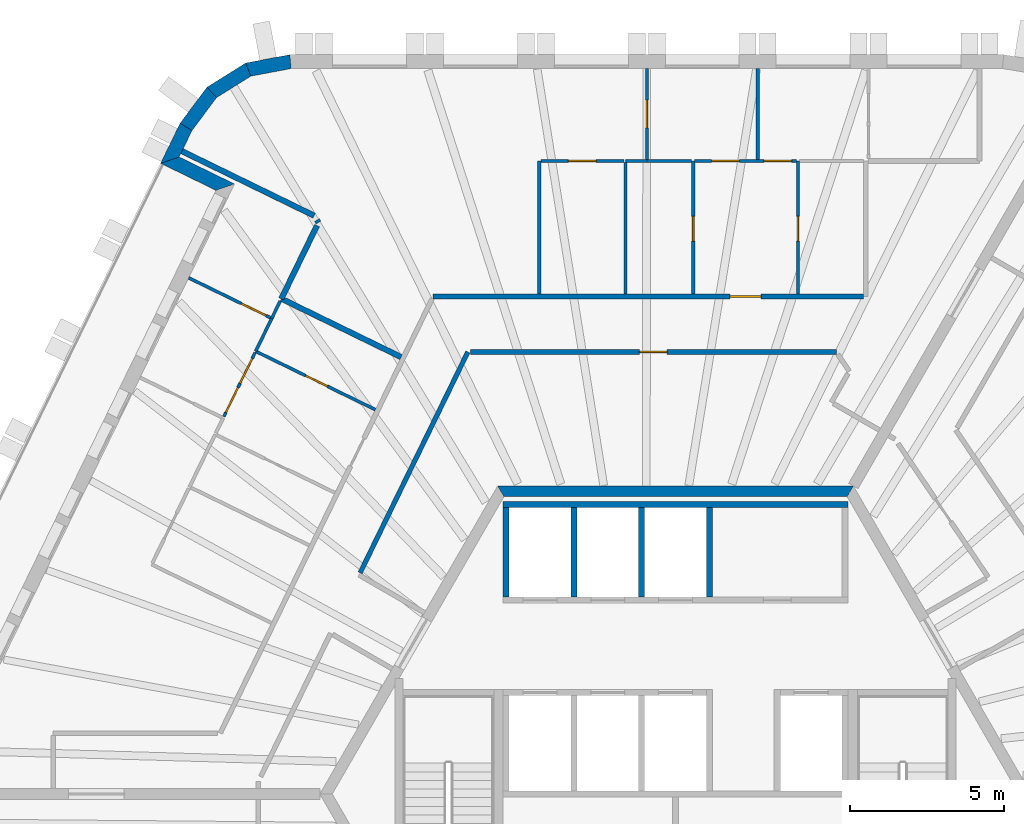
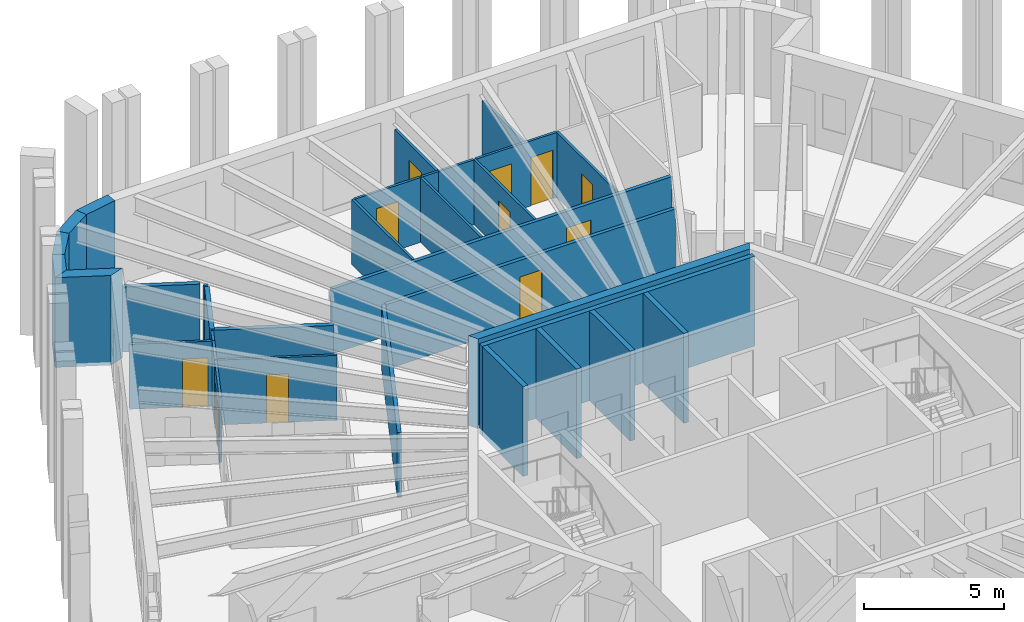
# One storey, part 8 of 12: 33 walls, 12 doors, 12 openings.
"""IFC4 building model written with IfcOpenShell, lengths in metres."""

from ifc_helpers import new_model, si_unit, direction, frame, frame_2d, origin, place, context, subcontext, project, spatial, polyline, rectangle, outline, extrude, material, layer, layer_set, type_object, element, fill, save


model = new_model("IFC4")

# Units and contexts
model_context = context("Model", 3, precision=1e-05, world=origin(), true_north=direction((0.0, 1.0)))
body_context = subcontext(model_context, "Body", "Model", "MODEL_VIEW")
ifc_project = project(units=[si_unit("LENGTHUNIT", "METRE"), si_unit("AREAUNIT", "SQUARE_METRE"), si_unit("VOLUMEUNIT", "CUBIC_METRE"), si_unit("PLANEANGLEUNIT", "RADIAN"), si_unit("MASSUNIT", "GRAM", prefix="KILO")], contexts=[model_context])

# Site, building, storey
site_placement = place(None, origin())
site = spatial("IfcSite", under=ifc_project, at=site_placement, CompositionType="ELEMENT")
building_placement = place(site_placement, origin())
building = spatial("IfcBuilding", under=site, at=building_placement, Name="Tarnside Tower", CompositionType="ELEMENT")
storey_placement = place(building_placement, frame((0.0, 0.0, 361.199951171875)))
storey = spatial("IfcBuildingStorey", under=building, at=storey_placement, Name="L87", CompositionType="ELEMENT", Elevation=361.199951171875)

# Wall
ifc_material_1 = material(Name="Gypsum board partition on steel studs", Category="steel")
ifc_layer_1 = layer(ifc_material_1, 0.10009765625)
ifc_layer_set_1 = layer_set([ifc_layer_1], Name="Bathroom wall 100")
wall_type_1 = type_object("IfcWallType", Name="Bathroom wall 100", PredefinedType="PARTITIONING", material=ifc_layer_set_1)
wall_1_placement = place(storey_placement, frame((-1.625244140625, 20.550048828125, 0.0), z_axis=(0.0, 0.0, 1.0), x_axis=(1.0, 0.0, 0.0)))
element("IfcWall", 1, at=wall_1_placement, inside=storey, type_object=wall_type_1, Name="Bathroom wall 28072", PredefinedType="PARTITIONING", context=body_context, shape_type="SweptSolid", body=[
    extrude(rectangle(XDim=0.695556640625, YDim=0.10009765625, at=frame_2d((0.34765625, 0.0))), origin(), (0.0, 0.0, 1.0), 2.820068359375),
])

# Wall, opening, door
wall_2_placement = place(storey_placement, frame((3.974609375, 16.22509765625, 0.0), z_axis=(0.0, 0.0, 1.0), x_axis=(0.0, 1.0, 0.0)))
wall_2 = element("IfcWall", 2, at=wall_2_placement, inside=storey, type_object=wall_type_1, Name="Bathroom wall 28079", PredefinedType="PARTITIONING", context=body_context, shape_type="SweptSolid", body=[
    extrude(rectangle(XDim=4.324951171875, YDim=0.10009765625, at=frame_2d((2.16259765625, 0.0))), origin(), (0.0, 0.0, 1.0), 2.820068359375),
])
opening_1_placement = place(wall_2_placement, frame((1.72509765625, 0.0, 0.0)))
opening_1 = element("IfcOpeningElement", 3, at=opening_1_placement, cuts=wall_2, Name="Opening D-B1", PredefinedType="OPENING", context=body_context, shape_type="SweptSolid", body=[
    extrude(rectangle(XDim=0.800048828125, YDim=2.10009765625, at=frame_2d((0.39990234375, 1.050048828125))), frame((0.0, 0.06005859375, 0.0), z_axis=(0.0, -1.0, 0.0), x_axis=(1.0, 0.0, 0.0)), (0.0, 0.0, 1.0), 0.1201171875),
])
ifc_material_2 = material(Name="Timber door leaf", Category="wood")
door_type_1 = type_object("IfcDoorType", Name="Bathroom door 800", OperationType="NOTDEFINED", PredefinedType="DOOR", material=ifc_material_2)
door_1_placement = place(opening_1_placement, origin())
door_1 = element("IfcDoor", 4, at=door_1_placement, inside=storey, type_object=door_type_1, Name="Bathroom door 28002", OperationType="SINGLE_SWING_RIGHT", OverallHeight=2.10009765625, OverallWidth=0.800048828125, PredefinedType="DOOR", context=body_context, shape_type="SweptSolid", body=[
    extrude(rectangle(XDim=0.800048828125, YDim=2.10009765625, at=frame_2d((0.39990234375, 1.050048828125))), frame((0.0, 0.02490234375, 0.0), z_axis=(0.0, -1.0, 0.0), x_axis=(1.0, 0.0, 0.0)), (0.0, 0.0, 1.0), 0.050048828125),
])
fill(opening_1, door_1)

wall_3_placement = place(storey_placement, frame((0.57470703125, 20.550048828125, 0.0), z_axis=(0.0, 0.0, 1.0), x_axis=(0.0, -1.0, 0.0)))
wall_3 = element("IfcWall", 5, at=wall_3_placement, inside=storey, type_object=wall_type_1, Name="Bathroom wall 28082", PredefinedType="PARTITIONING", context=body_context, shape_type="SweptSolid", body=[
    extrude(rectangle(XDim=4.324951171875, YDim=0.10009765625, at=frame_2d((2.16259765625, 0.0))), origin(), (0.0, 0.0, 1.0), 2.820068359375),
])
opening_2_placement = place(wall_3_placement, frame((1.800048828125, 0.0, 0.0)))
opening_2 = element("IfcOpeningElement", 6, at=opening_2_placement, cuts=wall_3, Name="Opening D-B1", PredefinedType="OPENING", context=body_context, shape_type="SweptSolid", body=[
    extrude(rectangle(XDim=0.800048828125, YDim=2.10009765625, at=frame_2d((0.39990234375, 1.050048828125))), frame((0.0, 0.06005859375, 0.0), z_axis=(0.0, -1.0, 0.0), x_axis=(1.0, 0.0, 0.0)), (0.0, 0.0, 1.0), 0.1201171875),
])
door_2_placement = place(opening_2_placement, origin())
door_2 = element("IfcDoor", 7, at=door_2_placement, inside=storey, type_object=door_type_1, Name="Bathroom door 28013", OperationType="SINGLE_SWING_LEFT", OverallHeight=2.10009765625, OverallWidth=0.800048828125, PredefinedType="DOOR", context=body_context, shape_type="SweptSolid", body=[
    extrude(rectangle(XDim=0.800048828125, YDim=2.10009765625, at=frame_2d((0.39990234375, 1.050048828125))), frame((0.0, 0.02490234375, 0.0), z_axis=(0.0, -1.0, 0.0), x_axis=(1.0, 0.0, 0.0)), (0.0, 0.0, 1.0), 0.050048828125),
])
fill(opening_2, door_2)

# Walls
wall_4_placement = place(storey_placement, frame((-0.93359375, 20.550048828125, 0.0), z_axis=(0.0, 0.0, 1.0), x_axis=(1.0, 0.0, 0.0)))
element("IfcWall", 8, at=wall_4_placement, inside=storey, type_object=wall_type_1, Name="Bathroom wall 28086", PredefinedType="PARTITIONING", context=body_context, shape_type="SweptSolid", body=[
    extrude(rectangle(XDim=1.458251953125, YDim=0.10009765625, at=frame_2d((0.72900390625, 0.0))), origin(), (0.0, 0.0, 1.0), 2.820068359375),
])
wall_5_placement = place(storey_placement, frame((-1.625244140625, 20.5, 0.0), z_axis=(0.0, 0.0, 1.0), x_axis=(0.0, -1.0, 0.0)))
element("IfcWall", 9, at=wall_5_placement, inside=storey, type_object=wall_type_1, Name="Bathroom wall 28087", PredefinedType="PARTITIONING", context=body_context, shape_type="SweptSolid", body=[
    extrude(rectangle(XDim=4.27490234375, YDim=0.10009765625, at=frame_2d((2.137451171875, 0.0))), origin(), (0.0, 0.0, 1.0), 2.820068359375),
])

# Wall, opening, door
wall_6_placement = place(storey_placement, frame((-9.7421875, 12.47509765625, 0.0), z_axis=(0.0, 0.0, 1.0), x_axis=(-0.898786890582, 0.438385817879, 0.0)))
wall_6 = element("IfcWall", 10, at=wall_6_placement, inside=storey, type_object=wall_type_1, Name="Bathroom wall 28093", PredefinedType="PARTITIONING", context=body_context, shape_type="SweptSolid", body=[
    extrude(rectangle(XDim=4.324951171875, YDim=0.10009765625, at=frame_2d((2.16259765625, 0.0))), origin(), (0.0, 0.0, 1.0), 2.820068359375),
])
opening_3_placement = place(wall_6_placement, frame((1.72509765625, 0.0, 0.0)))
opening_3 = element("IfcOpeningElement", 11, at=opening_3_placement, cuts=wall_6, Name="Opening D-B1", PredefinedType="OPENING", context=body_context, shape_type="SweptSolid", body=[
    extrude(rectangle(XDim=0.800048828125, YDim=2.10009765625, at=frame_2d((0.39990234375, 1.050048828125))), frame((0.0, 0.06005859375, 0.0), z_axis=(0.0, -1.0, 0.0), x_axis=(1.0, 0.0, 0.0)), (0.0, 0.0, 1.0), 0.1201171875),
])
door_3_placement = place(opening_3_placement, origin())
door_3 = element("IfcDoor", 12, at=door_3_placement, inside=storey, type_object=door_type_1, Name="Bathroom door 28016", OperationType="SINGLE_SWING_RIGHT", OverallHeight=2.10009765625, OverallWidth=0.800048828125, PredefinedType="DOOR", context=body_context, shape_type="SweptSolid", body=[
    extrude(rectangle(XDim=0.800048828125, YDim=2.10009765625, at=frame_2d((0.39990234375, 1.050048828125))), frame((0.0, 0.02490234375, 0.0), z_axis=(0.0, -1.0, 0.0), x_axis=(1.0, 0.0, 0.0)), (0.0, 0.0, 1.0), 0.050048828125),
])
fill(opening_3, door_3)

# Walls
wall_7_placement = place(storey_placement, frame((-12.835205078125, 15.999755859375, 0.0), z_axis=(0.0, 0.0, 1.0), x_axis=(-0.43824583471, -0.898855154271, 0.0)))
element("IfcWall", 13, at=wall_7_placement, inside=storey, type_object=wall_type_1, Name="Bathroom wall 28096", PredefinedType="PARTITIONING", context=body_context, shape_type="SweptSolid", body=[
    extrude(rectangle(XDim=0.622314453125, YDim=0.10009765625, at=frame_2d((0.31103515625, 0.0))), origin(), (0.0, 0.0, 1.0), 2.820068359375),
])
wall_8_placement = place(storey_placement, frame((-13.10791015625, 15.4404296875, 0.0), z_axis=(0.0, 0.0, 1.0), x_axis=(-0.438423632021, -0.898768445644, 0.0)))
element("IfcWall", 14, at=wall_8_placement, inside=storey, type_object=wall_type_1, Name="Bathroom wall 28097", PredefinedType="PARTITIONING", context=body_context, shape_type="SweptSolid", body=[
    extrude(rectangle(XDim=1.191650390625, YDim=0.10009765625, at=frame_2d((0.595703125, 0.0))), origin(), (0.0, 0.0, 1.0), 2.820068359375),
])
ifc_material_3 = material(Name="Concrete C50/60", Category="concrete")
ifc_layer_2 = layer(ifc_material_3, 0.35009765625)
ifc_layer_set_2 = layer_set([ifc_layer_2], Name="Core wall Z4 350 C50/60")
wall_type_2 = type_object("IfcWallType", Name="Core wall Z4 350 C50/60", PredefinedType="SHEAR", material=ifc_layer_set_2)
wall_9_placement = place(storey_placement, frame((5.672607421875, 9.824951171875, -0.14990234375), z_axis=(0.0, 0.0, 1.0), x_axis=(-1.0, 0.0, 0.0)))
element("IfcWall", 15, at=wall_9_placement, inside=storey, type_object=wall_type_2, Name="L87 core wall face 1", PredefinedType="SHEAR", context=body_context, shape_type="SweptSolid", body=[
    extrude(outline(polyline([(-0.10107421875, -0.175048828125), (11.4462890625, -0.175048828125), (11.244140625, 0.175048828125), (0.10107421875, 0.175048828125), (-0.10107421875, -0.175048828125)])), origin(), (0.0, 0.0, 1.0), 3.89990234375),
])

# Wall, opening, door
ifc_layer_3 = layer(ifc_material_1, 0.14990234375)
ifc_layer_set_3 = layer_set([ifc_layer_3], Name="Corridor wall 150 EI 60")
wall_type_3 = type_object("IfcWallType", Name="Corridor wall 150 EI 60", PredefinedType="PARTITIONING", material=ifc_layer_set_3)
wall_10_placement = place(storey_placement, frame((6.099609375, 16.14990234375, 0.0), z_axis=(0.0, 0.0, 1.0), x_axis=(-1.0, 0.0, 0.0)))
wall_10 = element("IfcWall", 16, at=wall_10_placement, inside=storey, type_object=wall_type_3, Name="Corridor wall 28001", PredefinedType="PARTITIONING", context=body_context, shape_type="SweptSolid", body=[
    extrude(rectangle(XDim=13.966064453125, YDim=0.14990234375, at=frame_2d((6.98291015625, 0.0))), origin(), (0.0, 0.0, 1.0), 2.820068359375),
])
opening_4_placement = place(wall_10_placement, frame((3.324951171875, 0.0, 0.0)))
opening_4 = element("IfcOpeningElement", 17, at=opening_4_placement, cuts=wall_10, Name="Opening D-E1", PredefinedType="OPENING", context=body_context, shape_type="SweptSolid", body=[
    extrude(rectangle(XDim=1.0, YDim=2.10009765625, at=frame_2d((0.5, 1.050048828125))), frame((0.0, 0.0849609375, 0.0), z_axis=(0.0, -1.0, 0.0), x_axis=(1.0, 0.0, 0.0)), (0.0, 0.0, 1.0), 0.169921875),
])
door_type_2 = type_object("IfcDoorType", Name="Unit entrance door 1000 FD30S", OperationType="NOTDEFINED", PredefinedType="DOOR", material=ifc_material_2)
door_4_placement = place(opening_4_placement, origin())
door_4 = element("IfcDoor", 18, at=door_4_placement, inside=storey, type_object=door_type_2, Name="Unit door 28001", OperationType="SINGLE_SWING_RIGHT", OverallHeight=2.10009765625, OverallWidth=1.0, PredefinedType="DOOR", context=body_context, shape_type="SweptSolid", body=[
    extrude(rectangle(XDim=1.0, YDim=2.10009765625, at=frame_2d((0.5, 1.050048828125))), frame((0.0, 0.02490234375, 0.0), z_axis=(0.0, -1.0, 0.0), x_axis=(1.0, 0.0, 0.0)), (0.0, 0.0, 1.0), 0.050048828125),
])
fill(opening_4, door_4)

# Wall
wall_11_placement = place(storey_placement, frame((-10.23974609375, 7.177734375, 0.0), z_axis=(0.0, 0.0, 1.0), x_axis=(0.438356120288, 0.898801375058, 0.0)))
element("IfcWall", 19, at=wall_11_placement, inside=storey, type_object=wall_type_3, Name="Corridor wall 28021", PredefinedType="PARTITIONING", context=body_context, shape_type="SweptSolid", body=[
    extrude(rectangle(XDim=7.97998046875, YDim=0.14990234375, at=frame_2d((3.989990234375, 0.0))), origin(), (0.0, 0.0, 1.0), 2.820068359375),
])

# Wall, opening, door
wall_12_placement = place(storey_placement, frame((-6.658203125, 14.35009765625, 0.0), z_axis=(0.0, 0.0, 1.0), x_axis=(1.0, 0.0, 0.0)))
wall_12 = element("IfcWall", 20, at=wall_12_placement, inside=storey, type_object=wall_type_3, Name="Corridor wall 28022", PredefinedType="PARTITIONING", context=body_context, shape_type="SweptSolid", body=[
    extrude(rectangle(XDim=11.875732421875, YDim=0.14990234375, at=frame_2d((5.93798828125, 0.0))), origin(), (0.0, 0.0, 1.0), 2.820068359375),
])
opening_5_placement = place(wall_12_placement, frame((5.48779296875, 0.0, 0.0)))
opening_5 = element("IfcOpeningElement", 21, at=opening_5_placement, cuts=wall_12, Name="Opening D-S1", PredefinedType="OPENING", context=body_context, shape_type="SweptSolid", body=[
    extrude(rectangle(XDim=0.89990234375, YDim=2.10009765625, at=frame_2d((0.449951171875, 1.050048828125))), frame((0.0, 0.0849609375, 0.0), z_axis=(0.0, -1.0, 0.0), x_axis=(1.0, 0.0, 0.0)), (0.0, 0.0, 1.0), 0.169921875),
])
door_type_3 = type_object("IfcDoorType", Name="Service room door 900 FD30S", OperationType="NOTDEFINED", PredefinedType="DOOR", material=ifc_material_2)
door_5_placement = place(opening_5_placement, origin())
door_5 = element("IfcDoor", 22, at=door_5_placement, inside=storey, type_object=door_type_3, Name="Service door 28064", OperationType="SINGLE_SWING_RIGHT", OverallHeight=2.10009765625, OverallWidth=0.89990234375, PredefinedType="DOOR", context=body_context, shape_type="SweptSolid", body=[
    extrude(rectangle(XDim=0.89990234375, YDim=2.10009765625, at=frame_2d((0.449951171875, 1.050048828125))), frame((0.0, 0.02490234375, 0.0), z_axis=(0.0, -1.0, 0.0), x_axis=(1.0, 0.0, 0.0)), (0.0, 0.0, 1.0), 0.050048828125),
])
fill(opening_5, door_5)

# Walls
ifc_layer_4 = layer(ifc_material_1, 0.179931640625)
ifc_layer_set_4 = layer_set([ifc_layer_4], Name="Demising wall 180 EI 60")
wall_type_4 = type_object("IfcWallType", Name="Demising wall 180 EI 60", PredefinedType="PARTITIONING", material=ifc_layer_set_4)
wall_13_placement = place(storey_placement, frame((-12.796630859375, 16.078857421875, 0.0), z_axis=(0.0, 0.0, 1.0), x_axis=(0.898786890582, -0.438385817879, 0.0)))
element("IfcWall", 23, at=wall_13_placement, inside=storey, type_object=wall_type_4, Name="Demising wall 28075", PredefinedType="PARTITIONING", context=body_context, shape_type="SweptSolid", body=[
    extrude(rectangle(XDim=4.324951171875, YDim=0.179931640625, at=frame_2d((2.16259765625, 0.0))), origin(), (0.0, 0.0, 1.0), 2.820068359375),
])
wall_14_placement = place(storey_placement, frame((-16.02392578125, 20.867919921875, 0.0), z_axis=(0.0, 0.0, 1.0), x_axis=(0.898790554329, -0.438378306317, 0.0)))
element("IfcWall", 24, at=wall_14_placement, inside=storey, type_object=wall_type_4, Name="Demising wall 28076", PredefinedType="PARTITIONING", context=body_context, shape_type="SweptSolid", body=[
    extrude(rectangle(XDim=4.775634765625, YDim=0.179931640625, at=frame_2d((2.3876953125, 0.0))), origin(), (0.0, 0.0, 1.0), 2.820068359375),
])
wall_15_placement = place(storey_placement, frame((-11.6416015625, 18.63037109375, 0.0), z_axis=(0.0, 0.0, 1.0), x_axis=(0.53069346288, -0.847563831494, 0.0)))
element("IfcWall", 25, at=wall_15_placement, inside=storey, type_object=wall_type_4, Name="Demising wall 28077", PredefinedType="PARTITIONING", context=body_context, shape_type="SweptSolid", body=[
    extrude(rectangle(XDim=0.0947265625, YDim=0.179931640625, at=frame_2d((0.04736328125, 0.0))), origin(), (0.0, 0.0, 1.0), 2.820068359375),
])
wall_16_placement = place(storey_placement, frame((-11.637939453125, 18.45458984375, 0.0), z_axis=(0.0, 0.0, 1.0), x_axis=(-0.438336396292, -0.898810994417, 0.0)))
element("IfcWall", 26, at=wall_16_placement, inside=storey, type_object=wall_type_4, Name="Demising wall 28078", PredefinedType="PARTITIONING", context=body_context, shape_type="SweptSolid", body=[
    extrude(rectangle(XDim=2.646728515625, YDim=0.179931640625, at=frame_2d((1.3232421875, 0.0))), origin(), (0.0, 0.0, 1.0), 2.820068359375),
])
ifc_material_4 = material(Name="Concrete C40/50", Category="concrete")
ifc_layer_5 = layer(ifc_material_4, 0.199951171875)
ifc_layer_set_5 = layer_set([ifc_layer_5], Name="Lift shaft wall 200 C40/50")
wall_type_5 = type_object("IfcWallType", Name="Lift shaft wall 200 C40/50", PredefinedType="SHEAR", material=ifc_layer_set_5)
wall_17_placement = place(storey_placement, frame((-5.60009765625, 9.39990234375, -0.25), z_axis=(0.0, 0.0, 1.0), x_axis=(1.0, 0.0, 0.0)))
element("IfcWall", 27, at=wall_17_placement, inside=storey, type_object=wall_type_5, Name="L87 lift shaft back wall R1", PredefinedType="SHEAR", context=body_context, shape_type="SweptSolid", body=[
    extrude(rectangle(XDim=11.2001953125, YDim=0.199951171875, at=frame_2d((5.60009765625, 0.0))), origin(), (0.0, 0.0, 1.0), 3.900146484375),
])
for number, where, z_axis, x_axis, name in (
    (28, (-5.5, 6.39990234375, -0.25), (0.0, 0.0, 1.0), (0.0, 1.0, 0.0), "L87 lift shaft partition R11"),
    (29, (-3.300048828125, 6.39990234375, -0.25), (0.0, 0.0, 1.0), (0.0, 1.0, 0.0), "L87 lift shaft partition R12"),
    (30, (-1.10009765625, 6.39990234375, -0.25), (0.0, 0.0, 1.0), (0.0, 1.0, 0.0), "L87 lift shaft partition R13"),
    (31, (1.10009765625, 6.39990234375, -0.25), (0.0, 0.0, 1.0), (0.0, 1.0, 0.0), "L87 lift shaft partition R14"),
):
    element("IfcWall", number, at=place(storey_placement, frame(where, z_axis=z_axis, x_axis=x_axis)), inside=storey, type_object=wall_type_5, Name=name, PredefinedType="SHEAR", context=body_context, shape_type="SweptSolid", body=[
        extrude(rectangle(XDim=2.900146484375, YDim=0.199951171875, at=frame_2d((1.4501953125, 0.0))), origin(), (0.0, 0.0, 1.0), 3.900146484375),
    ])
ifc_material_5 = material(Name="Dark zinc cladding")
ifc_layer_6 = layer(ifc_material_5, 0.10205078125)
ifc_material_6 = material(Name="Concrete C60/75 precast", Category="concrete")
ifc_layer_7 = layer(ifc_material_6, 0.248046875)
ifc_material_7 = material(Name="Mineral wool insulation")
ifc_layer_8 = layer(ifc_material_7, 0.10009765625)
ifc_layer_set_6 = layer_set([ifc_layer_6, ifc_layer_7, ifc_layer_8], Name="Loggia wall 450 zinc faced")
wall_type_6 = type_object("IfcWallType", Name="Loggia wall 450 zinc faced", PredefinedType="SOLIDWALL", material=ifc_layer_set_6)
wall_18_placement = place(storey_placement, frame((-15.890380859375, 21.65478515625, -0.14990234375), z_axis=(0.0, 0.0, 1.0), x_axis=(-0.438319390103, -0.898819287877, 0.0)))
element("IfcWall", 32, at=wall_18_placement, inside=storey, type_object=wall_type_6, Name="Tube wall L87 F2 stub 04", PredefinedType="SOLIDWALL", context=body_context, shape_type="SweptSolid", body=[
    extrude(outline(polyline([(-0.02099609375, -0.22509765625), (1.4248046875, -0.22509765625), (0.974609375, 0.22509765625), (0.02099609375, 0.22509765625), (-0.02099609375, -0.22509765625)])), origin(), (0.0, 0.0, 1.0), 3.89990234375),
])
wall_19_placement = place(storey_placement, frame((-16.416259765625, 20.576416015625, -0.14990234375), z_axis=(0.0, 0.0, 1.0), x_axis=(0.898730898244, -0.438500595829, 0.0)))
element("IfcWall", 33, at=wall_19_placement, inside=storey, type_object=wall_type_6, Name="Tube wall L87 F2 return 05", PredefinedType="SOLIDWALL", context=body_context, shape_type="SweptSolid", body=[
    extrude(outline(polyline([(-0.224853515625, -0.22509765625), (1.77490234375, -0.22509765625), (2.22509765625, 0.22509765625), (0.224853515625, 0.22509765625), (-0.224853515625, -0.22509765625)])), origin(), (0.0, 0.0, 1.0), 3.89990234375),
])

# Wall, opening, door
ifc_layer_9 = layer(ifc_material_1, 0.10009765625)
ifc_layer_set_7 = layer_set([ifc_layer_9], Name="Partition 100")
wall_type_7 = type_object("IfcWallType", Name="Partition 100", PredefinedType="PARTITIONING", material=ifc_layer_set_7)
wall_20_placement = place(storey_placement, frame((-0.931640625, 20.60009765625, 0.0), z_axis=(0.0, 0.0, 1.0), x_axis=(0.0, 1.0, 0.0)))
wall_20 = element("IfcWall", 34, at=wall_20_placement, inside=storey, type_object=wall_type_7, Name="Partition wall 28071", PredefinedType="PARTITIONING", context=body_context, shape_type="SweptSolid", body=[
    extrude(rectangle(XDim=2.949951171875, YDim=0.10009765625, at=frame_2d((1.47509765625, 0.0))), origin(), (0.0, 0.0, 1.0), 2.820068359375),
])
opening_6_placement = place(wall_20_placement, frame((1.02490234375, 0.0, 0.0)))
opening_6 = element("IfcOpeningElement", 35, at=opening_6_placement, cuts=wall_20, Name="Opening D-I1", PredefinedType="OPENING", context=body_context, shape_type="SweptSolid", body=[
    extrude(rectangle(XDim=0.89990234375, YDim=2.10009765625, at=frame_2d((0.449951171875, 1.050048828125))), frame((0.0, 0.06005859375, 0.0), z_axis=(0.0, -1.0, 0.0), x_axis=(1.0, 0.0, 0.0)), (0.0, 0.0, 1.0), 0.1201171875),
])
door_type_4 = type_object("IfcDoorType", Name="Internal door 900", OperationType="NOTDEFINED", PredefinedType="DOOR", material=ifc_material_2)
door_6_placement = place(opening_6_placement, origin())
door_6 = element("IfcDoor", 36, at=door_6_placement, inside=storey, type_object=door_type_4, Name="Internal door 28060", OperationType="SINGLE_SWING_RIGHT", OverallHeight=2.10009765625, OverallWidth=0.89990234375, PredefinedType="DOOR", context=body_context, shape_type="SweptSolid", body=[
    extrude(rectangle(XDim=0.89990234375, YDim=2.10009765625, at=frame_2d((0.449951171875, 1.050048828125))), frame((0.0, 0.02490234375, 0.0), z_axis=(0.0, -1.0, 0.0), x_axis=(1.0, 0.0, 0.0)), (0.0, 0.0, 1.0), 0.050048828125),
])
fill(opening_6, door_6)

# Wall
wall_21_placement = place(storey_placement, frame((-4.42529296875, 16.22509765625, 0.0), z_axis=(0.0, 0.0, 1.0), x_axis=(0.0, 1.0, 0.0)))
element("IfcWall", 37, at=wall_21_placement, inside=storey, type_object=wall_type_7, Name="Partition wall 28073", PredefinedType="PARTITIONING", context=body_context, shape_type="SweptSolid", body=[
    extrude(rectangle(XDim=4.324951171875, YDim=0.10009765625, at=frame_2d((2.16259765625, 0.0))), origin(), (0.0, 0.0, 1.0), 2.820068359375),
])

# Wall, opening, door
wall_22_placement = place(storey_placement, frame((-4.375244140625, 20.550048828125, 0.0), z_axis=(0.0, 0.0, 1.0), x_axis=(1.0, 0.0, 0.0)))
wall_22 = element("IfcWall", 38, at=wall_22_placement, inside=storey, type_object=wall_type_7, Name="Partition wall 28074", PredefinedType="PARTITIONING", context=body_context, shape_type="SweptSolid", body=[
    extrude(rectangle(XDim=2.699951171875, YDim=0.10009765625, at=frame_2d((1.35009765625, 0.0))), origin(), (0.0, 0.0, 1.0), 2.820068359375),
])
opening_7_placement = place(wall_22_placement, frame((0.89990234375, 0.0, 0.0)))
opening_7 = element("IfcOpeningElement", 39, at=opening_7_placement, cuts=wall_22, Name="Opening D-I1", PredefinedType="OPENING", context=body_context, shape_type="SweptSolid", body=[
    extrude(rectangle(XDim=0.89990234375, YDim=2.10009765625, at=frame_2d((0.449951171875, 1.050048828125))), frame((0.0, 0.06005859375, 0.0), z_axis=(0.0, -1.0, 0.0), x_axis=(1.0, 0.0, 0.0)), (0.0, 0.0, 1.0), 0.1201171875),
])
door_7_placement = place(opening_7_placement, origin())
door_7 = element("IfcDoor", 40, at=door_7_placement, inside=storey, type_object=door_type_4, Name="Internal door 28014", OperationType="SINGLE_SWING_LEFT", OverallHeight=2.10009765625, OverallWidth=0.89990234375, PredefinedType="DOOR", context=body_context, shape_type="SweptSolid", body=[
    extrude(rectangle(XDim=0.89990234375, YDim=2.10009765625, at=frame_2d((0.449951171875, 1.050048828125))), frame((0.0, 0.02490234375, 0.0), z_axis=(0.0, -1.0, 0.0), x_axis=(1.0, 0.0, 0.0)), (0.0, 0.0, 1.0), 0.050048828125),
])
fill(opening_7, door_7)

# Wall, openings, doors
wall_23_placement = place(storey_placement, frame((3.9267578125, 20.550048828125, 0.0), z_axis=(0.0, 0.0, 1.0), x_axis=(-1.0, 0.0, 0.0)))
wall_23 = element("IfcWall", 41, at=wall_23_placement, inside=storey, type_object=wall_type_7, Name="Partition wall 28080", PredefinedType="PARTITIONING", context=body_context, shape_type="SweptSolid", body=[
    extrude(rectangle(XDim=3.30419921875, YDim=0.10009765625, at=frame_2d((1.652099609375, 0.0))), origin(), (0.0, 0.0, 1.0), 2.820068359375),
])
opening_8_placement = place(wall_23_placement, frame((0.158203125, 0.0, 0.0)))
opening_8 = element("IfcOpeningElement", 42, at=opening_8_placement, cuts=wall_23, Name="Opening D-I1", PredefinedType="OPENING", context=body_context, shape_type="SweptSolid", body=[
    extrude(rectangle(XDim=0.89990234375, YDim=2.10009765625, at=frame_2d((0.449951171875, 1.050048828125))), frame((0.0, 0.06005859375, 0.0), z_axis=(0.0, -1.0, 0.0), x_axis=(1.0, 0.0, 0.0)), (0.0, 0.0, 1.0), 0.1201171875),
])
opening_9_placement = place(wall_23_placement, frame((1.855224609375, 0.0, 0.0)))
opening_9 = element("IfcOpeningElement", 43, at=opening_9_placement, cuts=wall_23, Name="Opening D-I1", PredefinedType="OPENING", context=body_context, shape_type="SweptSolid", body=[
    extrude(rectangle(XDim=0.89990234375, YDim=2.10009765625, at=frame_2d((0.449951171875, 1.050048828125))), frame((0.0, 0.06005859375, 0.0), z_axis=(0.0, -1.0, 0.0), x_axis=(1.0, 0.0, 0.0)), (0.0, 0.0, 1.0), 0.1201171875),
])
door_8_placement = place(opening_8_placement, origin())
door_8 = element("IfcDoor", 44, at=door_8_placement, inside=storey, type_object=door_type_4, Name="Internal door 28005", OperationType="SINGLE_SWING_LEFT", OverallHeight=2.10009765625, OverallWidth=0.89990234375, PredefinedType="DOOR", context=body_context, shape_type="SweptSolid", body=[
    extrude(rectangle(XDim=0.89990234375, YDim=2.10009765625, at=frame_2d((0.449951171875, 1.050048828125))), frame((0.0, 0.02490234375, 0.0), z_axis=(0.0, -1.0, 0.0), x_axis=(1.0, 0.0, 0.0)), (0.0, 0.0, 1.0), 0.050048828125),
])
fill(opening_8, door_8)
door_9_placement = place(opening_9_placement, origin())
door_9 = element("IfcDoor", 45, at=door_9_placement, inside=storey, type_object=door_type_4, Name="Internal door 28012", OperationType="SINGLE_SWING_LEFT", OverallHeight=2.10009765625, OverallWidth=0.89990234375, PredefinedType="DOOR", context=body_context, shape_type="SweptSolid", body=[
    extrude(rectangle(XDim=0.89990234375, YDim=2.10009765625, at=frame_2d((0.449951171875, 1.050048828125))), frame((0.0, 0.02490234375, 0.0), z_axis=(0.0, -1.0, 0.0), x_axis=(1.0, 0.0, 0.0)), (0.0, 0.0, 1.0), 0.050048828125),
])
fill(opening_9, door_9)

# Wall
wall_24_placement = place(storey_placement, frame((2.66845703125, 23.550048828125, 0.0), z_axis=(0.0, 0.0, 1.0), x_axis=(0.0, -1.0, 0.0)))
element("IfcWall", 46, at=wall_24_placement, inside=storey, type_object=wall_type_7, Name="Partition wall 28085", PredefinedType="PARTITIONING", context=body_context, shape_type="SweptSolid", body=[
    extrude(rectangle(XDim=2.949951171875, YDim=0.10009765625, at=frame_2d((1.47509765625, 0.0))), origin(), (0.0, 0.0, 1.0), 2.820068359375),
])

# Wall, openings, doors
wall_25_placement = place(storey_placement, frame((-13.650634765625, 14.327880859375, 0.0), z_axis=(0.0, 0.0, 1.0), x_axis=(-0.438406989319, -0.898776563845, 0.0)))
wall_25 = element("IfcWall", 47, at=wall_25_placement, inside=storey, type_object=wall_type_7, Name="Partition wall 28094", PredefinedType="PARTITIONING", context=body_context, shape_type="SweptSolid", body=[
    extrude(rectangle(XDim=2.312255859375, YDim=0.10009765625, at=frame_2d((1.15625, 0.0))), origin(), (0.0, 0.0, 1.0), 2.820068359375),
])
opening_10_placement = place(wall_25_placement, frame((1.26220703125, 0.0, 0.0)))
opening_10 = element("IfcOpeningElement", 48, at=opening_10_placement, cuts=wall_25, Name="Opening D-I1", PredefinedType="OPENING", context=body_context, shape_type="SweptSolid", body=[
    extrude(rectangle(XDim=0.89990234375, YDim=2.10009765625, at=frame_2d((0.449951171875, 1.050048828125))), frame((0.0, 0.06005859375, 0.0), z_axis=(0.0, -1.0, 0.0), x_axis=(1.0, 0.0, 0.0)), (0.0, 0.0, 1.0), 0.1201171875),
])
opening_11_placement = place(wall_25_placement, frame((0.207275390625, 0.0, 0.0)))
opening_11 = element("IfcOpeningElement", 49, at=opening_11_placement, cuts=wall_25, Name="Opening D-I1", PredefinedType="OPENING", context=body_context, shape_type="SweptSolid", body=[
    extrude(rectangle(XDim=0.89990234375, YDim=2.10009765625, at=frame_2d((0.449951171875, 1.050048828125))), frame((0.0, 0.06005859375, 0.0), z_axis=(0.0, -1.0, 0.0), x_axis=(1.0, 0.0, 0.0)), (0.0, 0.0, 1.0), 0.1201171875),
])
door_10_placement = place(opening_10_placement, origin())
door_10 = element("IfcDoor", 50, at=door_10_placement, inside=storey, type_object=door_type_4, Name="Internal door 28019", OperationType="SINGLE_SWING_RIGHT", OverallHeight=2.10009765625, OverallWidth=0.89990234375, PredefinedType="DOOR", context=body_context, shape_type="SweptSolid", body=[
    extrude(rectangle(XDim=0.89990234375, YDim=2.10009765625, at=frame_2d((0.449951171875, 1.050048828125))), frame((0.0, 0.02490234375, 0.0), z_axis=(0.0, -1.0, 0.0), x_axis=(1.0, 0.0, 0.0)), (0.0, 0.0, 1.0), 0.050048828125),
])
fill(opening_10, door_10)
door_11_placement = place(opening_11_placement, origin())
door_11 = element("IfcDoor", 51, at=door_11_placement, inside=storey, type_object=door_type_4, Name="Internal door 28023", OperationType="SINGLE_SWING_RIGHT", OverallHeight=2.10009765625, OverallWidth=0.89990234375, PredefinedType="DOOR", context=body_context, shape_type="SweptSolid", body=[
    extrude(rectangle(XDim=0.89990234375, YDim=2.10009765625, at=frame_2d((0.449951171875, 1.050048828125))), frame((0.0, 0.02490234375, 0.0), z_axis=(0.0, -1.0, 0.0), x_axis=(1.0, 0.0, 0.0)), (0.0, 0.0, 1.0), 0.050048828125),
])
fill(opening_11, door_11)

# Wall, opening, door
wall_26_placement = place(storey_placement, frame((-15.804443359375, 16.755615234375, 0.0), z_axis=(0.0, 0.0, 1.0), x_axis=(0.898802642499, -0.438353521528, 0.0)))
wall_26 = element("IfcWall", 52, at=wall_26_placement, inside=storey, type_object=wall_type_7, Name="Partition wall 28098", PredefinedType="PARTITIONING", context=body_context, shape_type="SweptSolid", body=[
    extrude(rectangle(XDim=2.9501953125, YDim=0.10009765625, at=frame_2d((1.47509765625, 0.0))), origin(), (0.0, 0.0, 1.0), 2.820068359375),
])
opening_12_placement = place(wall_26_placement, frame((1.89990234375, 0.0, 0.0)))
opening_12 = element("IfcOpeningElement", 53, at=opening_12_placement, cuts=wall_26, Name="Opening D-I1", PredefinedType="OPENING", context=body_context, shape_type="SweptSolid", body=[
    extrude(rectangle(XDim=0.89990234375, YDim=2.10009765625, at=frame_2d((0.449951171875, 1.050048828125))), frame((0.0, 0.06005859375, 0.0), z_axis=(0.0, -1.0, 0.0), x_axis=(1.0, 0.0, 0.0)), (0.0, 0.0, 1.0), 0.1201171875),
])
door_12_placement = place(opening_12_placement, origin())
door_12 = element("IfcDoor", 54, at=door_12_placement, inside=storey, type_object=door_type_4, Name="Internal door 28022", OperationType="SINGLE_SWING_RIGHT", OverallHeight=2.10009765625, OverallWidth=0.89990234375, PredefinedType="DOOR", context=body_context, shape_type="SweptSolid", body=[
    extrude(rectangle(XDim=0.89990234375, YDim=2.10009765625, at=frame_2d((0.449951171875, 1.050048828125))), frame((0.0, 0.02490234375, 0.0), z_axis=(0.0, -1.0, 0.0), x_axis=(1.0, 0.0, 0.0)), (0.0, 0.0, 1.0), 0.050048828125),
])
fill(opening_12, door_12)

# Walls
ifc_material_8 = material(Name="Facing brick", Category="masonry")
ifc_layer_10 = layer(ifc_material_8, 0.10205078125)
ifc_layer_11 = layer(ifc_material_6, 0.248046875)
ifc_layer_12 = layer(ifc_material_7, 0.10009765625)
ifc_layer_set_8 = layer_set([ifc_layer_10, ifc_layer_11, ifc_layer_12], Name="Tube wall 450 brick faced")
wall_type_8 = type_object("IfcWallType", Name="Tube wall 450 brick faced", PredefinedType="SOLIDWALL", material=ifc_layer_set_8)
wall_27_placement = place(storey_placement, frame((-12.497314453125, 23.77490234375, -0.14990234375), z_axis=(0.0, 0.0, 1.0), x_axis=(-0.982735447009, -0.185016326824, 0.0)))
element("IfcWall", 55, at=wall_27_placement, inside=storey, type_object=wall_type_8, Name="Tube wall L87 F1 chord 01", PredefinedType="SOLIDWALL", context=body_context, shape_type="SweptSolid", body=[
    extrude(outline(polyline([(-0.02099609375, -0.22509765625), (1.43994140625, -0.22509765625), (1.35498046875, 0.22509765625), (0.02099609375, 0.22509765625), (-0.02099609375, -0.22509765625)])), origin(), (0.0, 0.0, 1.0), 3.89990234375),
])
wall_28_placement = place(storey_placement, frame((-13.87060546875, 23.516357421875, -0.14990234375), z_axis=(0.0, 0.0, 1.0), x_axis=(-0.848106239164, -0.52982620461, 0.0)))
element("IfcWall", 56, at=wall_28_placement, inside=storey, type_object=wall_type_8, Name="Tube wall L87 F1 chord 02", PredefinedType="SOLIDWALL", context=body_context, shape_type="SweptSolid", body=[
    extrude(outline(polyline([(-0.04248046875, -0.22509765625), (1.440185546875, -0.22509765625), (1.355224609375, 0.22509765625), (0.04248046875, 0.22509765625), (-0.04248046875, -0.22509765625)])), origin(), (0.0, 0.0, 1.0), 3.89990234375),
])
wall_29_placement = place(storey_placement, frame((-15.055908203125, 22.77587890625, -0.14990234375), z_axis=(0.0, 0.0, 1.0), x_axis=(-0.597089203515, -0.802174845682, 0.0)))
element("IfcWall", 57, at=wall_29_placement, inside=storey, type_object=wall_type_8, Name="Tube wall L87 F1 chord 03", PredefinedType="SOLIDWALL", context=body_context, shape_type="SweptSolid", body=[
    extrude(outline(polyline([(-0.04248046875, -0.22509765625), (1.41845703125, -0.22509765625), (1.37646484375, 0.22509765625), (0.04248046875, 0.22509765625), (-0.04248046875, -0.22509765625)])), origin(), (0.0, 0.0, 1.0), 3.89990234375),
])

save(model, "model.ifc")
